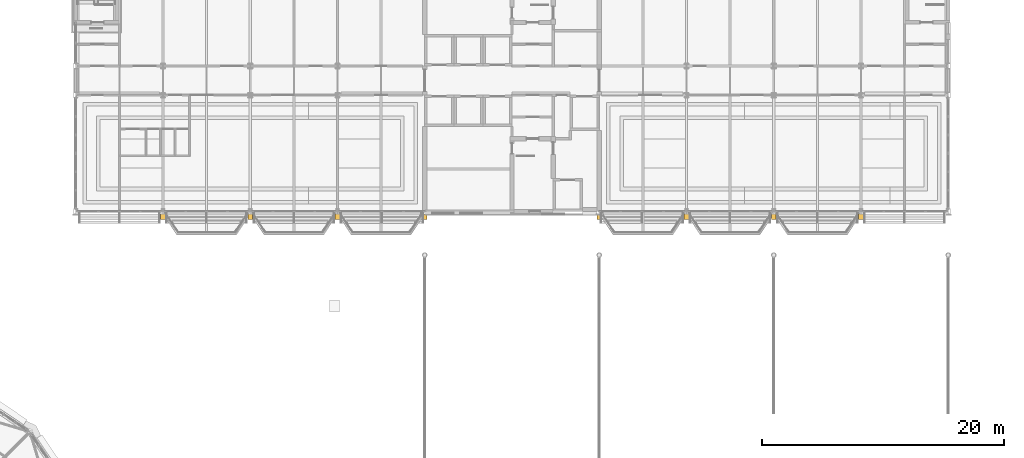
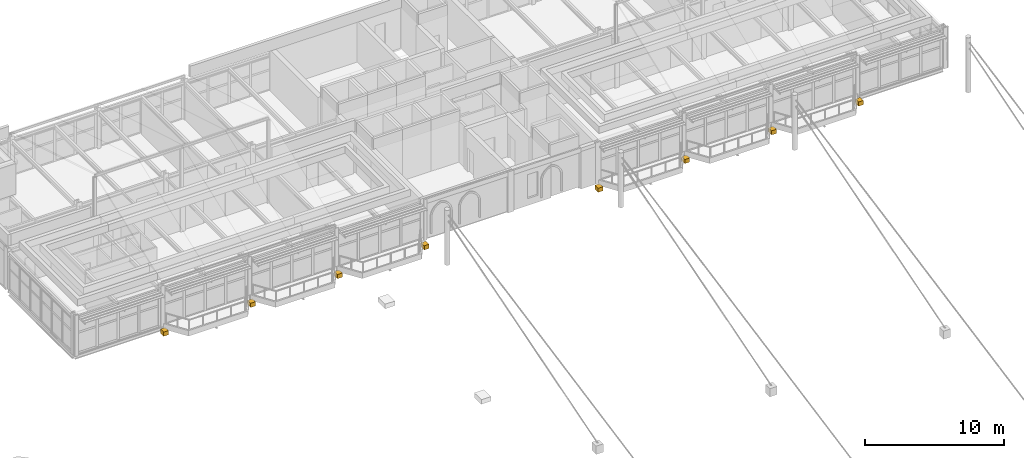
# One storey, part 68 of 68: 8 coverings.
"""IFC4 building model written with IfcOpenShell, lengths in metres."""

from ifc_helpers import new_model, si_unit, direction, frame, origin, origin_2d, place, context, subcontext, project, spatial, rectangle, extrude, material, layer, layer_set, type_object, element, save


model = new_model("IFC4")

# Units and contexts
model_context = context("Model", 3, precision=1e-05, world=origin(), true_north=direction((0.0, 1.0)))
body_context = subcontext(model_context, "Body", "Model", "MODEL_VIEW")
ifc_project = project(units=[si_unit("LENGTHUNIT", "METRE"), si_unit("AREAUNIT", "SQUARE_METRE"), si_unit("VOLUMEUNIT", "CUBIC_METRE"), si_unit("PLANEANGLEUNIT", "RADIAN"), si_unit("MASSUNIT", "GRAM", prefix="KILO")], contexts=[model_context])

# Site, building, storey
site_placement = place(None, origin())
site = spatial("IfcSite", under=ifc_project, at=site_placement, CompositionType="ELEMENT")
building_placement = place(site_placement, origin())
building = spatial("IfcBuilding", under=site, at=building_placement, Name="Kupolbacken Congress Centre", CompositionType="ELEMENT")
storey_placement = place(building_placement, frame((0.0, 0.0, 25.199951171875)))
storey = spatial("IfcBuildingStorey", under=building, at=storey_placement, Name="L07", CompositionType="ELEMENT", Elevation=25.199951171875)

# Coverings
ifc_material = material(Name="Limestone cladding", Category="masonry")
ifc_layer = layer(ifc_material, 0.1201171875)
ifc_layer_set = layer_set([ifc_layer], Name="Limestone cladding")
covering_type = type_object("IfcCoveringType", Name="CV1 limestone cladding band 120", PredefinedType="CLADDING", material=ifc_layer_set)
for number, where, z_axis, x_axis, name in (
    (1, (108.0, 121.958984375, -0.5), (0.0, 0.0, 1.0), (1.0, 0.0, 0.0), "E/T/bracket/L07/S/108/L"),
    (2, (115.199951171875, 121.958984375, -0.5), (0.0, 0.0, 1.0), (1.0, 0.0, 0.0), "E/T/bracket/L07/S/108/R"),
    (3, (122.39990234375, 121.958984375, -0.5), (0.0, 0.0, 1.0), (1.0, 0.0, 0.0), "E/T/bracket/L07/S/115.2/R"),
    (4, (129.60009765625, 121.958984375, -0.5), (0.0, 0.0, 1.0), (1.0, 0.0, 0.0), "E/T/bracket/L07/S/122.4/R"),
    (5, (72.0, 121.958984375, -0.5), (0.0, 0.0, 1.0), (1.0, 0.0, 0.0), "E/T/bracket/L07/S/72/L"),
    (6, (79.199951171875, 121.958984375, -0.5), (0.0, 0.0, 1.0), (1.0, 0.0, 0.0), "E/T/bracket/L07/S/72/R"),
    (7, (86.39990234375, 121.958984375, -0.5), (0.0, 0.0, 1.0), (1.0, 0.0, 0.0), "E/T/bracket/L07/S/79.2/R"),
    (8, (93.60009765625, 121.958984375, -0.5), (0.0, 0.0, 1.0), (1.0, 0.0, 0.0), "E/T/bracket/L07/S/86.4/R"),
):
    element("IfcCovering", number, at=place(storey_placement, frame(where, z_axis=z_axis, x_axis=x_axis)), inside=storey, type_object=covering_type, Name=name, PredefinedType="CLADDING", context=body_context, shape_type="SweptSolid", body=[
        extrude(rectangle(XDim=0.39990234375, YDim=0.449951171875, at=origin_2d()), origin(), (0.0, 0.0, 1.0), 0.360107421875),
    ])

save(model, "model.ifc")
